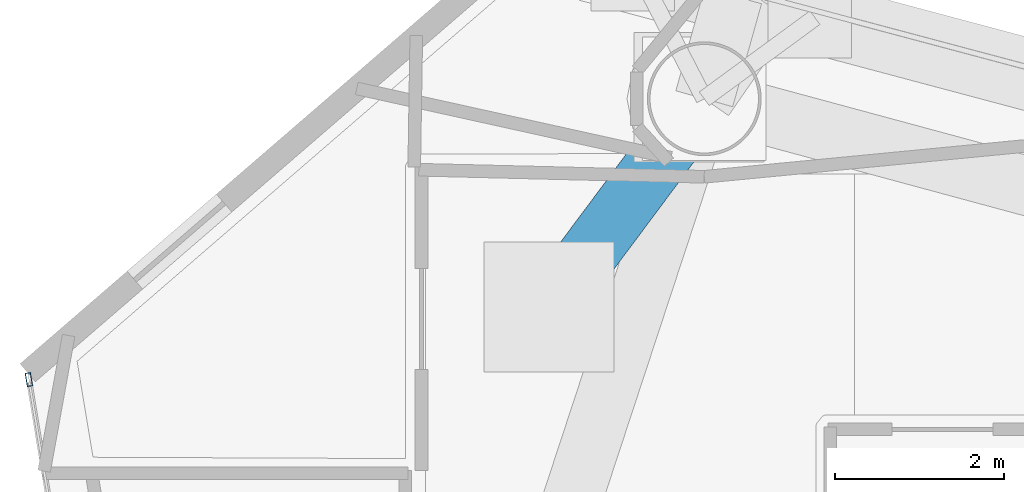
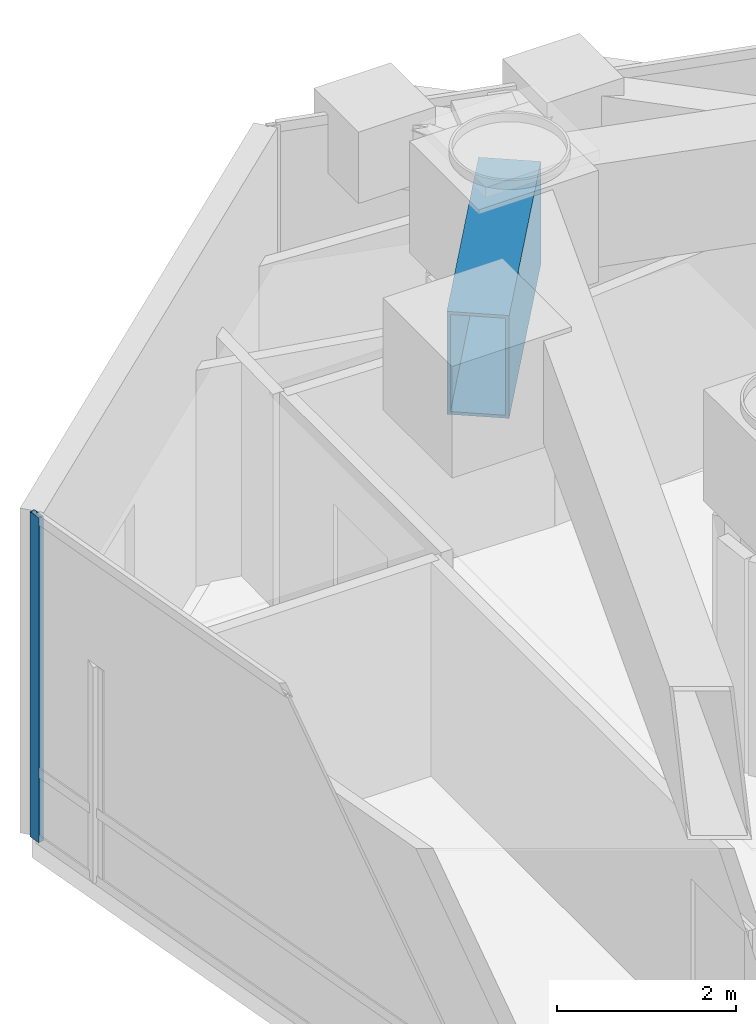
# One storey, part 10 of 22: 1 beam, 1 member, 1 element without a shape of its own.
"""IFC4 building model written with IfcOpenShell, lengths in metres."""

import ifcopenshell
import ifcopenshell.guid

model = None  # the IFC model being written
_history = None  # IfcOwnerHistory: only IFC2X3 demands one
_inside = {}  # id of a spatial element -> (the spatial element, [elements in it])
_under = {}  # id of a project, library or spatial element -> (it, [spatial elements below it])
_declared = {}  # id of a project -> (the project, [libraries it declares])
_typed = {}  # id of a type object -> (the type object, [elements of that type])
_made_of = {}  # id of a material, layer set ... -> (it, [elements and type objects made of it])


def new_model(schema):
    """Start an empty IFC model of exactly this schema.

    Asked for "IFC4X3", IfcOpenShell would pick the latest addendum, in which some entities
    have other attributes; the version numbers below select the first issue.
    IFC2X3 requires an IfcOwnerHistory on every rooted entity: one is made here for all.
    """
    global model, _history
    if schema == "IFC4X3":
        model = ifcopenshell.file(schema_version=(4, 3, 0, 0))
    else:
        model = ifcopenshell.file(schema=schema)
    _inside.clear()
    _under.clear()
    _declared.clear()
    _typed.clear()
    _made_of.clear()
    _history = None
    if model.schema == "IFC2X3":
        org = make("IfcOrganization", Name="unknown")
        user = make(
            "IfcPersonAndOrganization",
            ThePerson=make("IfcPerson", FamilyName="unknown"),
            TheOrganization=org,
        )
        app = make(
            "IfcApplication",
            ApplicationDeveloper=org,
            Version="unknown",
            ApplicationFullName="unknown",
            ApplicationIdentifier="unknown",
        )
        _history = make(
            "IfcOwnerHistory",
            OwningUser=user,
            OwningApplication=app,
            ChangeAction="ADDED",
            CreationDate=0,
        )
    return model


def make(cls, **values):
    """One entity of the class cls with the attributes given. An attribute that is None is left unset."""
    return model.create_entity(
        cls, **{name: value for name, value in values.items() if value is not None}
    )


def rooted(cls, **values):
    """An entity with a GlobalId (a new one), such as an element, a storey or a relation."""
    return make(cls, GlobalId=ifcopenshell.guid.new(), OwnerHistory=_history, **values)


def si_unit(unit_type, name, prefix=None):
    """IfcSIUnit, for example si_unit("LENGTHUNIT", "METRE", prefix="MILLI")."""
    return make("IfcSIUnit", UnitType=unit_type, Prefix=prefix, Name=name)


def assignment(units):
    """IfcUnitAssignment: the units of a project."""
    return None if units is None else make("IfcUnitAssignment", Units=units)


def point(xyz):
    """IfcCartesianPoint."""
    return None if xyz is None else make("IfcCartesianPoint", Coordinates=xyz)


def direction(xyz):
    """IfcDirection."""
    return None if xyz is None else make("IfcDirection", DirectionRatios=xyz)


def frame(location, z_axis=None, x_axis=None):
    """IfcAxis2Placement3D, a coordinate frame: its origin and axes. An axis left out is left unset."""
    return make(
        "IfcAxis2Placement3D",
        Location=point(location),
        Axis=direction(z_axis),
        RefDirection=direction(x_axis),
    )


def frame_2d(location, x_axis=None):
    """IfcAxis2Placement2D, a coordinate frame in the plane: its origin and x axis."""
    return make(
        "IfcAxis2Placement2D", Location=point(location), RefDirection=direction(x_axis)
    )


def origin():
    """The frame at (0, 0, 0) with its axes left unset."""
    return frame((0.0, 0.0, 0.0))


def origin_2d():
    """The frame at (0, 0) in the plane with its x axis left unset."""
    return frame_2d((0.0, 0.0))


def place(relative_to, where):
    """IfcLocalPlacement: puts the frame where relative to a parent placement (None: the world)."""
    return make(
        "IfcLocalPlacement", PlacementRelTo=relative_to, RelativePlacement=where
    )


def context(
    kind, dimensions, precision=None, world=None, true_north=None, identifier=None
):
    """IfcGeometricRepresentationContext, for example the 3D "Model" context."""
    return make(
        "IfcGeometricRepresentationContext",
        ContextIdentifier=identifier,
        ContextType=kind,
        CoordinateSpaceDimension=dimensions,
        Precision=precision,
        WorldCoordinateSystem=world,
        TrueNorth=true_north,
    )


def subcontext(parent, identifier, kind, view, scale=None):
    """IfcGeometricRepresentationSubContext, for example "Body" below "Model"."""
    return make(
        "IfcGeometricRepresentationSubContext",
        ContextIdentifier=identifier,
        ContextType=kind,
        ParentContext=parent,
        TargetScale=scale,
        TargetView=view,
    )


def project(units=None, contexts=None):
    """IfcProject with its units and contexts."""
    return rooted(
        "IfcProject",
        Name="project",
        RepresentationContexts=contexts,
        UnitsInContext=assignment(units),
    )


def spatial(cls, under=None, at=None, **own):
    """A site, building, storey or space (cls), placed at a placement, below another one or the project."""
    s = rooted(cls, ObjectPlacement=at, **own)
    if under is not None:
        _under.setdefault(under.id(), (under, []))[1].append(s)
    return s


def profile(cls, at=None, kind="AREA", **sizes):
    """A parametric profile (cls). Its sizes go by their IFC names, for example OverallWidth=200.0."""
    return make(cls, ProfileType=kind, Position=at, **sizes)


def hollow_rectangle(**sizes):
    """IfcRectangleHollowProfileDef."""
    return profile("IfcRectangleHollowProfileDef", **sizes)


def extrude(swept, where, along, depth):
    """IfcExtrudedAreaSolid: the profile swept, set in the frame where, extruded along a direction by depth."""
    return make(
        "IfcExtrudedAreaSolid",
        SweptArea=swept,
        Position=where,
        ExtrudedDirection=direction(along),
        Depth=depth,
    )


def shape(context_of_items, identifier, shape_type, items):
    """IfcShapeRepresentation: the items that make up one representation, for example the "Body"."""
    return make(
        "IfcShapeRepresentation",
        ContextOfItems=context_of_items,
        RepresentationIdentifier=identifier,
        RepresentationType=shape_type,
        Items=items,
    )


def material(Name=None, Category=None):
    """IfcMaterial."""
    return make("IfcMaterial", Name=Name, Category=Category)


def layer(
    of_material, thickness, ventilated=None, Name=None, Category=None, Priority=None
):
    """IfcMaterialLayer: one layer of a wall or slab, of a material (None: an air gap)."""
    return make(
        "IfcMaterialLayer",
        Material=of_material,
        LayerThickness=thickness,
        IsVentilated=ventilated,
        Name=Name,
        Category=Category,
        Priority=Priority,
    )


def layer_set(layers, Name=None):
    """IfcMaterialLayerSet."""
    return make("IfcMaterialLayerSet", MaterialLayers=layers, LayerSetName=Name)


def material_profile(
    of_material, cross_section, Name=None, Category=None, Priority=None
):
    """IfcMaterialProfile: a cross section and its material."""
    return make(
        "IfcMaterialProfile",
        Name=Name,
        Material=of_material,
        Profile=cross_section,
        Priority=Priority,
        Category=Category,
    )


def profile_set(profiles, Name=None, composite=None):
    """IfcMaterialProfileSet."""
    return make(
        "IfcMaterialProfileSet",
        Name=Name,
        MaterialProfiles=profiles,
        CompositeProfile=composite,
    )


def made_of(thing, what):
    """Note that an element or type object is made of a material, layer set ...; save() writes the relation."""
    if what is not None:
        _made_of.setdefault(what.id(), (what, []))[1].append(thing)
    return thing


def type_object(cls, material=None, **own):
    """A type object (cls), such as IfcWallType, which elements share."""
    return made_of(rooted(cls, **own), material)


def element(
    cls,
    number,
    at=None,
    inside=None,
    cuts=None,
    type_object=None,
    material=None,
    context=None,
    identifier="Body",
    shape_type=None,
    held_by="IfcProductDefinitionShape",
    body=None,
    shapes=None,
    **own,
):
    """One element of the class cls, such as IfcWall. Its Tag is "e" and its number.

    at: its placement. inside: the storey or other place that contains it. cuts: it is an
    opening in that element (IfcRelVoidsElement). A single representation is given by context,
    identifier, shape_type and body (its items); several are given by shapes. held_by: the class
    of the entity that holds the representations. save() writes the other relations.
    """
    e = rooted(cls, Tag="e%d" % number, ObjectPlacement=at, **own)
    if body is not None:
        shapes = [shape(context, identifier, shape_type, body)]
    if shapes is not None:
        e.Representation = make(held_by, Representations=shapes)
    if inside is not None:
        _inside.setdefault(inside.id(), (inside, []))[1].append(e)
    if cuts is not None:
        rooted(
            "IfcRelVoidsElement", RelatingBuildingElement=cuts, RelatedOpeningElement=e
        )
    if type_object is not None:
        _typed.setdefault(type_object.id(), (type_object, []))[1].append(e)
    return made_of(e, material)


def aggregate(whole, parts):
    """IfcRelAggregates: a whole, such as a stair, and the parts it consists of."""
    return rooted("IfcRelAggregates", RelatingObject=whole, RelatedObjects=parts)


def save(model, path):
    """Write the relations noted so far, then the file.

    IfcRelAggregates (storeys below a building ...), IfcRelContainedInSpatialStructure (elements
    in a storey), IfcRelDefinesByType, IfcRelAssociatesMaterial and IfcRelDeclares: one each for
    every whole, place, type object, material and project.
    """
    for whole, parts in _under.values():
        aggregate(whole, parts)
    for where, things in _inside.values():
        rooted(
            "IfcRelContainedInSpatialStructure",
            RelatedElements=things,
            RelatingStructure=where,
        )
    for kind, things in _typed.values():
        rooted("IfcRelDefinesByType", RelatedObjects=things, RelatingType=kind)
    for what, things in _made_of.values():
        rooted("IfcRelAssociatesMaterial", RelatedObjects=things, RelatingMaterial=what)
    for by, libraries in _declared.values():
        rooted("IfcRelDeclares", RelatingContext=by, RelatedDefinitions=libraries)
    model.write(path)


model = new_model("IFC4")

# Units and contexts
model_context = context("Model", 3, precision=1e-05, world=origin(), true_north=direction((0.0, 1.0)))
body_context = subcontext(model_context, "Body", "Model", "MODEL_VIEW")
ifc_project = project(units=[si_unit("LENGTHUNIT", "METRE"), si_unit("AREAUNIT", "SQUARE_METRE"), si_unit("VOLUMEUNIT", "CUBIC_METRE"), si_unit("PLANEANGLEUNIT", "RADIAN"), si_unit("MASSUNIT", "GRAM", prefix="KILO")], contexts=[model_context])

# Site, building, storey
site_placement = place(None, origin())
site = spatial("IfcSite", under=ifc_project, at=site_placement, CompositionType="ELEMENT")
building_placement = place(site_placement, origin())
building = spatial("IfcBuilding", under=site, at=building_placement, Name="Qianvela Tower", CompositionType="ELEMENT")
storey_placement = place(building_placement, frame((0.0, 0.0, 184.60009765625)))
storey = spatial("IfcBuildingStorey", under=building, at=storey_placement, Name="L47", CompositionType="ELEMENT", Elevation=184.60009765625)

# Beam
ifc_material_1 = material(Name="Steel Q420GJC", Category="steel")
ifc_material_profile_1 = material_profile(ifc_material_1, hollow_rectangle(XDim=0.699951171875, YDim=1.39990234375, WallThickness=0.0400390625, at=origin_2d()), Name="TG-BOX-1400x700x40")
ifc_profile_set_1 = profile_set([ifc_material_profile_1], Name="Steel Q420GJC")
beam_type = type_object("IfcBeamType", Name="BM-TG-STEP-1400", PredefinedType="BEAM", material=ifc_profile_set_1)
beam_placement = place(storey_placement, frame((28.235107421875, 39.410888671875, 3.718017578125), z_axis=(-0.597874986307, -0.801589359179, 0.0), x_axis=(0.801589359179, -0.597874986307, 0.0)))
element("IfcBeam", 1, at=beam_placement, inside=storey, type_object=beam_type, Name="L47 Zone-Step Transfer Girder 3", PredefinedType="BEAM", context=body_context, shape_type="SweptSolid", body=[
    extrude(hollow_rectangle(XDim=0.699951171875, YDim=1.39990234375, WallThickness=0.0400390625, at=origin_2d()), origin(), (0.0, 0.0, 1.0), 3.017578125),
])

# Curtain wall, member
ifc_material_2 = material(Name="Anodised Architectural Aluminium and Low-E Glass", Category="aluminium")
ifc_layer = layer(ifc_material_2, 0.169921875)
ifc_layer_set = layer_set([ifc_layer], Name="Anodised Architectural Aluminium and Low-E Glass")
curtain_wall_type = type_object("IfcCurtainWallType", Name="CW-COLIV-Z34", PredefinedType="USERDEFINED", material=ifc_layer_set)
curtain_wall_placement = place(storey_placement, origin())
curtain_wall = element("IfcCurtainWall", 2, at=curtain_wall_placement, inside=storey, type_object=curtain_wall_type, Name="L47 CW-COLIV-Z34 Curtain Wall 04A", ObjectType="CURTAIN_WALL_SYSTEM", PredefinedType="USERDEFINED")
ifc_material_3 = material(Name="Anodised Architectural Aluminium 6063-T6", Category="aluminium")
ifc_material_profile_2 = material_profile(ifc_material_3, hollow_rectangle(XDim=0.06494140625, YDim=0.159912109375, WallThickness=0.0048828125, at=origin_2d()), Name="ALU-MULL-65x160")
ifc_profile_set_2 = profile_set([ifc_material_profile_2], Name="Anodised Architectural Aluminium 6063-T6")
member_type = type_object("IfcMemberType", Name="CW-COLIV-Z34-MULL", PredefinedType="MULLION", material=ifc_profile_set_2)
member_placement = place(storey_placement, frame((20.2236328125, 36.079833984375, 0.0), z_axis=(0.0, 0.0, 1.0), x_axis=(0.986457896832, 0.164014687691, 0.0)))
member = element("IfcMember", 3, at=member_placement, type_object=member_type, Name="CW-4 mullion 1", PredefinedType="MULLION", context=body_context, shape_type="SweptSolid", body=[
    extrude(hollow_rectangle(XDim=0.06494140625, YDim=0.159912109375, WallThickness=0.0048828125, at=origin_2d()), origin(), (0.0, 0.0, 1.0), 4.419921875),
])
aggregate(curtain_wall, [member])

save(model, "model.ifc")
